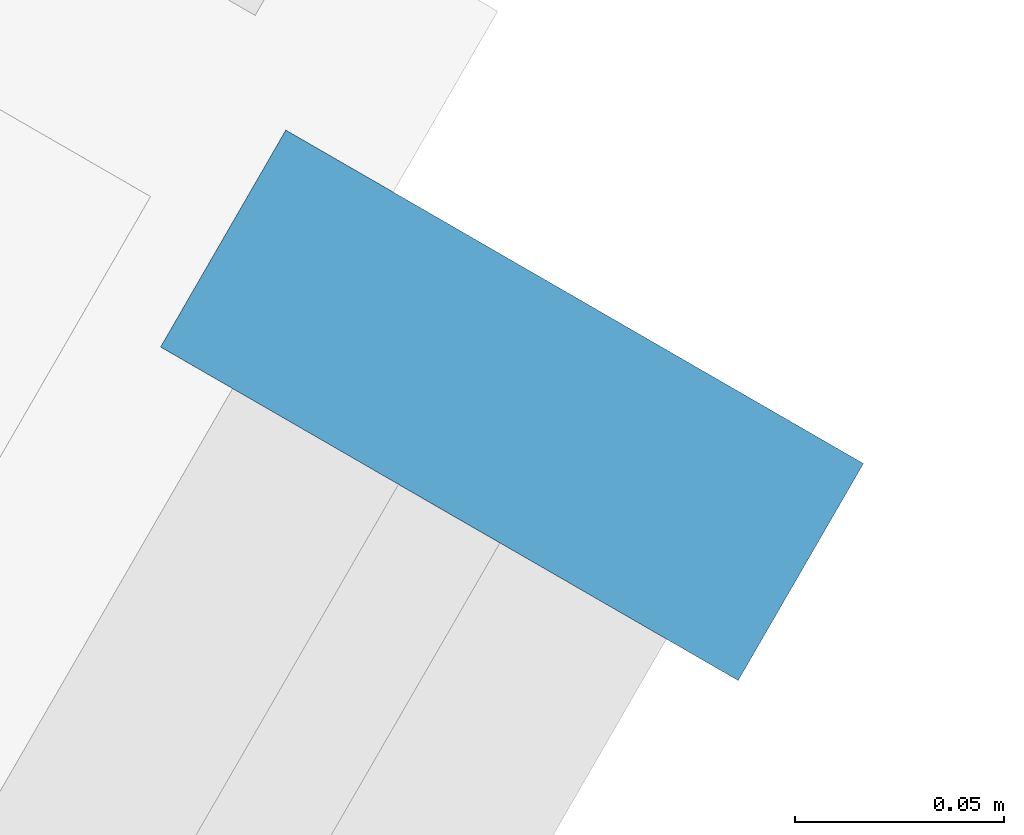
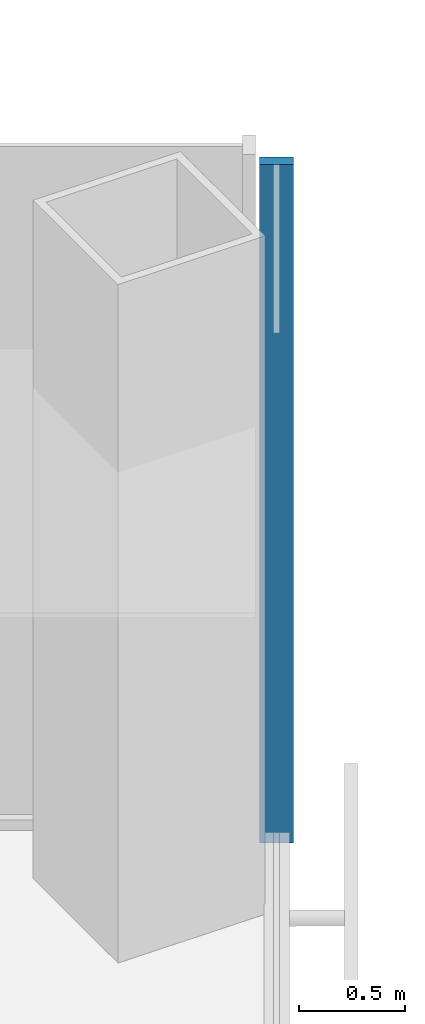
# One storey, part 9 of 19: 1 member, 1 element without a shape of its own.
"""IFC4 building model written with IfcOpenShell, lengths in metres."""

from ifc_helpers import new_model, si_unit, direction, frame, origin, origin_2d, place, context, subcontext, project, spatial, rectangle, extrude, material, material_profile, profile_set, type_object, element, aggregate, save


model = new_model("IFC4")

# Units and contexts
model_context = context("Model", 3, precision=1e-05, world=origin(), true_north=direction((0.0, 1.0)))
body_context = subcontext(model_context, "Body", "Model", "MODEL_VIEW")
ifc_project = project(units=[si_unit("LENGTHUNIT", "METRE"), si_unit("AREAUNIT", "SQUARE_METRE"), si_unit("VOLUMEUNIT", "CUBIC_METRE"), si_unit("PLANEANGLEUNIT", "RADIAN"), si_unit("MASSUNIT", "GRAM", prefix="KILO")], contexts=[model_context])

# Site, building, storey
site_placement = place(None, origin())
site = spatial("IfcSite", under=ifc_project, at=site_placement, CompositionType="ELEMENT")
building_placement = place(site_placement, origin())
building = spatial("IfcBuilding", under=site, at=building_placement, Name="Kasaneha Research Tower", CompositionType="ELEMENT")
storey_placement = place(building_placement, frame((0.0, 0.0, 100.199951171875)))
storey = spatial("IfcBuildingStorey", under=building, at=storey_placement, Name="L25", CompositionType="ELEMENT", Elevation=100.199951171875)

# Curtain wall, member
ifc_material_1 = material(Name="Glass and aluminium", Category="aluminium")
curtain_wall_type = type_object("IfcCurtainWallType", Name="Low-rise office curtain wall", PredefinedType="USERDEFINED", material=ifc_material_1)
curtain_wall_placement = place(storey_placement, origin())
curtain_wall = element("IfcCurtainWall", 1, at=curtain_wall_placement, inside=storey, type_object=curtain_wall_type, Name="CW-O1 L25 run 05a", ObjectType="UNITISED CURTAIN WALL", PredefinedType="USERDEFINED")
ifc_material_2 = material(Name="Aluminium 6063-T6", Category="aluminium")
ifc_material_profile = material_profile(ifc_material_2, rectangle(XDim=0.06005859375, YDim=0.159912109375, at=origin_2d()), Name="CW-O1 mullion 60x160")
ifc_profile_set = profile_set([ifc_material_profile], Name="Aluminium 6063-T6")
member_type = type_object("IfcMemberType", Name="CW-O1 mullion", PredefinedType="MULLION", material=ifc_profile_set)
member_placement = place(storey_placement, frame((32.012939453125, -6.39306640625, 0.0), z_axis=(0.0, 0.0, 1.0), x_axis=(0.500000011442, 0.866025397178, 0.0)))
member = element("IfcMember", 2, at=member_placement, type_object=member_type, Name="CW-O1 mullion 4", PredefinedType="MULLION", context=body_context, shape_type="SweptSolid", body=[
    extrude(rectangle(XDim=0.06005859375, YDim=0.159912109375, at=origin_2d()), origin(), (0.0, 0.0, 1.0), 3.900146484375),
])
aggregate(curtain_wall, [member])

save(model, "model.ifc")
